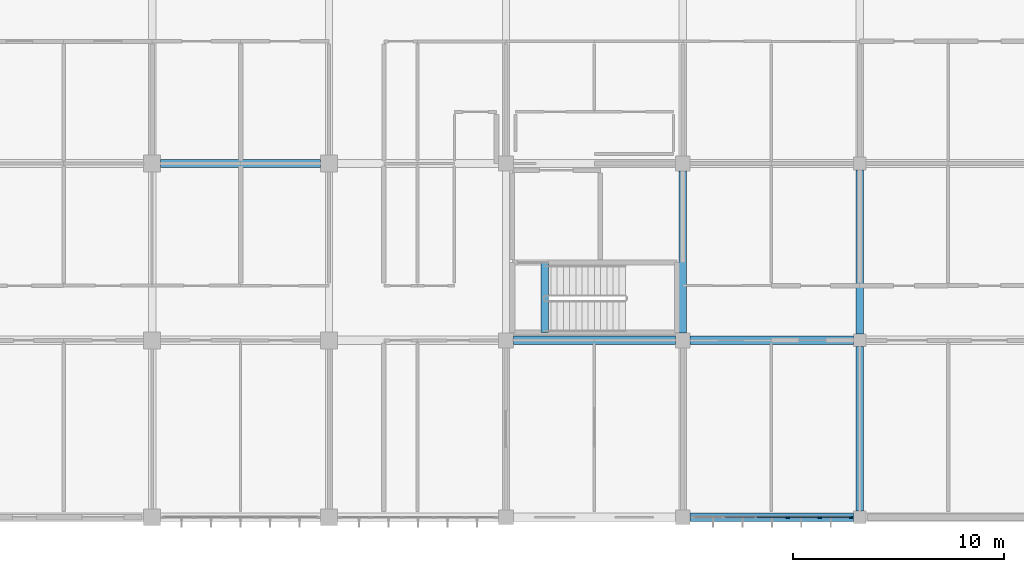
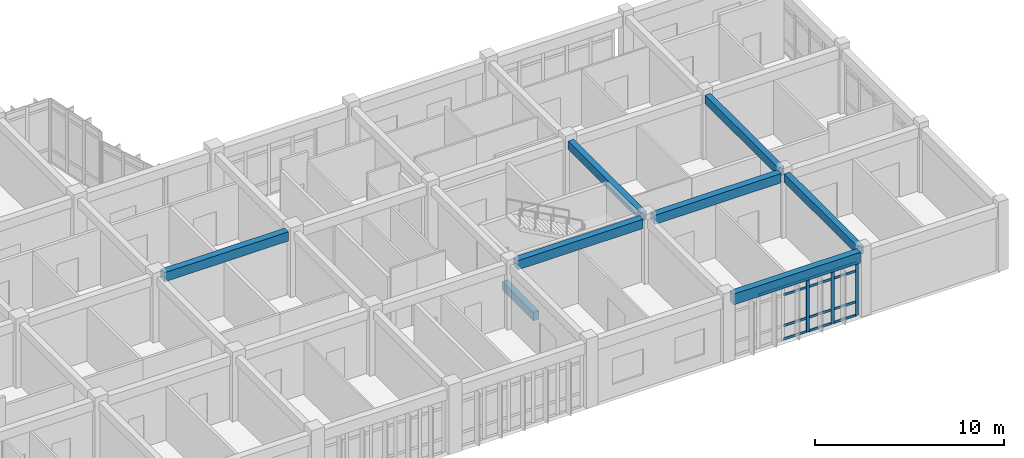
# One storey, part 58 of 144: 16 members, 8 beams, 1 element without a shape of its own.
"""IFC4 building model written with IfcOpenShell, lengths in metres."""

from ifc_helpers import new_model, si_unit, direction, frame, origin, origin_2d, place, context, subcontext, project, spatial, rectangle, extrude, material, layer, layer_set, material_profile, profile_set, type_object, element, aggregate, save


model = new_model("IFC4")

# Units and contexts
model_context = context("Model", 3, precision=1e-05, world=origin(), true_north=direction((0.0, 1.0)))
body_context = subcontext(model_context, "Body", "Model", "MODEL_VIEW")
ifc_project = project(units=[si_unit("LENGTHUNIT", "METRE"), si_unit("AREAUNIT", "SQUARE_METRE"), si_unit("VOLUMEUNIT", "CUBIC_METRE"), si_unit("PLANEANGLEUNIT", "RADIAN"), si_unit("MASSUNIT", "GRAM", prefix="KILO")], contexts=[model_context])

# Site, building, storey
site_placement = place(None, origin())
site = spatial("IfcSite", under=ifc_project, at=site_placement, CompositionType="ELEMENT")
building_placement = place(site_placement, origin())
building = spatial("IfcBuilding", under=site, at=building_placement, Name="Bramfleet General Hospital", CompositionType="ELEMENT")
storey_placement = place(building_placement, frame((0.0, 0.0, 4.800048828125)))
storey = spatial("IfcBuildingStorey", under=building, at=storey_placement, Name="L01", CompositionType="ELEMENT", Elevation=4.800048828125)

# Beams
ifc_material_1 = material(Name="Concrete C35/45", Category="concrete")
ifc_material_profile_1 = material_profile(ifc_material_1, rectangle(XDim=0.35009765625, YDim=0.550048828125, at=origin_2d()), Name="RC BM 550x350")
ifc_profile_set_1 = profile_set([ifc_material_profile_1], Name="Concrete C35/45")
beam_type_1 = type_object("IfcBeamType", Name="BM-RC550", PredefinedType="BEAM", material=ifc_profile_set_1)
beam_1_placement = place(storey_placement, frame((151.199951171875, 8.75, 3.875), z_axis=(0.0, 1.0, 0.0), x_axis=(-1.0, 0.0, 0.0)))
element("IfcBeam", 1, at=beam_1_placement, inside=storey, type_object=beam_type_1, Name="L01 Grid Beam Y 18-01", PredefinedType="BEAM", context=body_context, shape_type="SweptSolid", body=[
    extrude(rectangle(XDim=0.35009765625, YDim=0.550048828125, at=origin_2d()), origin(), (0.0, 0.0, 1.0), 7.699951171875),
])
for number, where, z_axis, x_axis, name in (
    (2, (159.60009765625, 0.300048828125, 3.875), (0.0, 1.0, 0.0), (-1.0, 0.0, 0.0), "L01 Grid Beam Y 19-00"),
    (3, (159.60009765625, 8.699951171875, 3.875), (0.0, 1.0, 0.0), (-1.0, 0.0, 0.0), "L01 Grid Beam Y 19-01"),
):
    element("IfcBeam", number, at=place(storey_placement, frame(where, z_axis=z_axis, x_axis=x_axis)), inside=storey, type_object=beam_type_1, Name=name, PredefinedType="BEAM", context=body_context, shape_type="SweptSolid", body=[
        extrude(rectangle(XDim=0.35009765625, YDim=0.550048828125, at=origin_2d()), origin(), (0.0, 0.0, 1.0), 7.800048828125),
    ])
beam_2_placement = place(storey_placement, frame((144.639892578125, 8.780029296875, -0.275146484375), z_axis=(0.0, 1.0, 0.0), x_axis=(-1.0, 0.0, 0.0)))
element("IfcBeam", 4, at=beam_2_placement, inside=storey, type_object=beam_type_1, Name="L01 C10 Stairwell Trimmer Beam", PredefinedType="BEAM", context=body_context, shape_type="SweptSolid", body=[
    extrude(rectangle(XDim=0.35009765625, YDim=0.550048828125, at=origin_2d()), origin(), (0.0, 0.0, 1.0), 3.320068359375),
])
ifc_material_profile_2 = material_profile(ifc_material_1, rectangle(XDim=0.39990234375, YDim=0.60009765625, at=origin_2d()), Name="RC BM 600x400")
ifc_profile_set_2 = profile_set([ifc_material_profile_2], Name="Concrete C35/45")
beam_type_2 = type_object("IfcBeamType", Name="BM-RC600", PredefinedType="BEAM", material=ifc_profile_set_2)
beam_3_placement = place(storey_placement, frame((126.39990234375, 16.800048828125, 3.849853515625), z_axis=(1.0, 0.0, 0.0), x_axis=(0.0, 1.0, 0.0)))
element("IfcBeam", 5, at=beam_3_placement, inside=storey, type_object=beam_type_2, Name="L01 Grid Beam X 15-02", PredefinedType="BEAM", context=body_context, shape_type="SweptSolid", body=[
    extrude(rectangle(XDim=0.39990234375, YDim=0.60009765625, at=origin_2d()), origin(), (0.0, 0.0, 1.0), 7.60009765625),
])
beam_4_placement = place(storey_placement, frame((143.14990234375, 8.39990234375, 3.849853515625), z_axis=(1.0, 0.0, 0.0), x_axis=(0.0, 1.0, 0.0)))
element("IfcBeam", 6, at=beam_4_placement, inside=storey, type_object=beam_type_2, Name="L01 Grid Beam X 17-01", PredefinedType="BEAM", context=body_context, shape_type="SweptSolid", body=[
    extrude(rectangle(XDim=0.39990234375, YDim=0.60009765625, at=origin_2d()), origin(), (0.0, 0.0, 1.0), 7.7001953125),
])
beam_5_placement = place(storey_placement, frame((151.550048828125, 8.39990234375, 3.849853515625), z_axis=(1.0, 0.0, 0.0), x_axis=(0.0, 1.0, 0.0)))
element("IfcBeam", 7, at=beam_5_placement, inside=storey, type_object=beam_type_2, Name="L01 Grid Beam X 18-01", PredefinedType="BEAM", context=body_context, shape_type="SweptSolid", body=[
    extrude(rectangle(XDim=0.39990234375, YDim=0.60009765625, at=origin_2d()), origin(), (0.0, 0.0, 1.0), 7.75),
])
ifc_material_profile_3 = material_profile(ifc_material_1, rectangle(XDim=0.39990234375, YDim=0.699951171875, at=origin_2d()), Name="RC SP 700x400")
ifc_profile_set_3 = profile_set([ifc_material_profile_3], Name="Concrete C35/45")
beam_type_3 = type_object("IfcBeamType", Name="BM-SP700", PredefinedType="SPANDREL", material=ifc_profile_set_3)
beam_6_placement = place(storey_placement, frame((151.550048828125, 0.0, 3.800048828125), z_axis=(1.0, 0.0, 0.0), x_axis=(0.0, 1.0, 0.0)))
element("IfcBeam", 8, at=beam_6_placement, inside=storey, type_object=beam_type_3, Name="L01 Grid Beam X 18-00", PredefinedType="SPANDREL", context=body_context, shape_type="SweptSolid", body=[
    extrude(rectangle(XDim=0.39990234375, YDim=0.699951171875, at=origin_2d()), origin(), (0.0, 0.0, 1.0), 7.75),
])

# Curtain wall, members
ifc_material_2 = material(Name="Anodised aluminium and low-E triple glazing", Category="aluminium")
ifc_layer = layer(ifc_material_2, 0.179931640625, Name="CWT-CW-18")
ifc_layer_set = layer_set([ifc_layer], Name="Anodised aluminium and low-E triple glazing")
curtain_wall_type = type_object("IfcCurtainWallType", Name="CWT-CW-18", PredefinedType="USERDEFINED", material=ifc_layer_set)
curtain_wall_placement = place(storey_placement, origin())
curtain_wall = element("IfcCurtainWall", 9, at=curtain_wall_placement, inside=storey, type_object=curtain_wall_type, Name="L01 Curtain Wall 72", ObjectType="Stick curtain wall", PredefinedType="USERDEFINED")
ifc_material_3 = material(Name="Structural timber GL28h", Category="wood")
ifc_material_profile_4 = material_profile(ifc_material_3, rectangle(XDim=0.070068359375, YDim=0.18994140625, at=origin_2d()), Name="LARCH 190x70")
ifc_profile_set_4 = profile_set([ifc_material_profile_4], Name="Structural timber GL28h")
member_type_1 = type_object("IfcMemberType", Name="CWM-LARCH450", PredefinedType="MULLION", material=ifc_profile_set_4)
member_1_placement = place(storey_placement, frame((159.18994140625, 0.0, 0.0), z_axis=(0.0, 0.0, 1.0), x_axis=(0.0, -1.0, 0.0)))
member_1 = element("IfcMember", 10, at=member_1_placement, type_object=member_type_1, Name="CW-18 mullion 1", PredefinedType="MULLION", context=body_context, shape_type="SweptSolid", body=[
    extrude(rectangle(XDim=0.070068359375, YDim=0.18994140625, at=origin_2d()), origin(), (0.0, 0.0, 1.0), 3.43994140625),
])
member_2_placement = place(storey_placement, frame((157.705078125, 0.0, 0.0), z_axis=(0.0, 0.0, 1.0), x_axis=(0.0, -1.0, 0.0)))
member_2 = element("IfcMember", 11, at=member_2_placement, type_object=member_type_1, Name="CW-18 mullion 2", PredefinedType="MULLION", context=body_context, shape_type="SweptSolid", body=[
    extrude(rectangle(XDim=0.070068359375, YDim=0.18994140625, at=origin_2d()), origin(), (0.0, 0.0, 1.0), 3.43994140625),
])
member_3_placement = place(storey_placement, frame((156.18505859375, 0.0, 0.0), z_axis=(0.0, 0.0, 1.0), x_axis=(0.0, -1.0, 0.0)))
member_3 = element("IfcMember", 12, at=member_3_placement, type_object=member_type_1, Name="CW-18 mullion 3", PredefinedType="MULLION", context=body_context, shape_type="SweptSolid", body=[
    extrude(rectangle(XDim=0.070068359375, YDim=0.18994140625, at=origin_2d()), origin(), (0.0, 0.0, 1.0), 3.43994140625),
])
ifc_material_profile_5 = material_profile(ifc_material_3, rectangle(XDim=0.06494140625, YDim=0.14990234375, at=origin_2d()), Name="LARCH 150x65")
ifc_profile_set_5 = profile_set([ifc_material_profile_5], Name="Structural timber GL28h")
member_type_2 = type_object("IfcMemberType", Name="CWT-LARCH220", PredefinedType="USERDEFINED", material=ifc_profile_set_5)
member_4_placement = place(storey_placement, frame((159.155029296875, 0.0, 0.032470703125), z_axis=(-1.0, 0.0, 0.0), x_axis=(0.0, -1.0, 0.0)))
member_4 = element("IfcMember", 13, at=member_4_placement, type_object=member_type_2, Name="CW-18 transom 1.1", ObjectType="TRANSOM", PredefinedType="USERDEFINED", context=body_context, shape_type="SweptSolid", body=[
    extrude(rectangle(XDim=0.06494140625, YDim=0.14990234375, at=origin_2d()), origin(), (0.0, 0.0, 1.0), 1.4150390625),
])
member_5_placement = place(storey_placement, frame((159.155029296875, 0.0, 0.89990234375), z_axis=(-1.0, 0.0, 0.0), x_axis=(0.0, -1.0, 0.0)))
member_5 = element("IfcMember", 14, at=member_5_placement, type_object=member_type_2, Name="CW-18 transom 1.2", ObjectType="TRANSOM", PredefinedType="USERDEFINED", context=body_context, shape_type="SweptSolid", body=[
    extrude(rectangle(XDim=0.06494140625, YDim=0.14990234375, at=origin_2d()), origin(), (0.0, 0.0, 1.0), 1.4150390625),
])
member_6_placement = place(storey_placement, frame((159.155029296875, 0.0, 2.889892578125), z_axis=(-1.0, 0.0, 0.0), x_axis=(0.0, -1.0, 0.0)))
member_6 = element("IfcMember", 15, at=member_6_placement, type_object=member_type_2, Name="CW-18 transom 1.3", ObjectType="TRANSOM", PredefinedType="USERDEFINED", context=body_context, shape_type="SweptSolid", body=[
    extrude(rectangle(XDim=0.06494140625, YDim=0.14990234375, at=origin_2d()), origin(), (0.0, 0.0, 1.0), 1.4150390625),
])
member_7_placement = place(storey_placement, frame((159.155029296875, 0.0, 3.407470703125), z_axis=(-1.0, 0.0, 0.0), x_axis=(0.0, -1.0, 0.0)))
member_7 = element("IfcMember", 16, at=member_7_placement, type_object=member_type_2, Name="CW-18 transom 1.4", ObjectType="TRANSOM", PredefinedType="USERDEFINED", context=body_context, shape_type="SweptSolid", body=[
    extrude(rectangle(XDim=0.06494140625, YDim=0.14990234375, at=origin_2d()), origin(), (0.0, 0.0, 1.0), 1.4150390625),
])
member_8_placement = place(storey_placement, frame((157.669921875, 0.0, 0.032470703125), z_axis=(-1.0, 0.0, 0.0), x_axis=(0.0, -1.0, 0.0)))
member_8 = element("IfcMember", 17, at=member_8_placement, type_object=member_type_2, Name="CW-18 transom 2.1", ObjectType="TRANSOM", PredefinedType="USERDEFINED", context=body_context, shape_type="SweptSolid", body=[
    extrude(rectangle(XDim=0.06494140625, YDim=0.14990234375, at=origin_2d()), origin(), (0.0, 0.0, 1.0), 1.449951171875),
])
member_9_placement = place(storey_placement, frame((157.669921875, 0.0, 0.89990234375), z_axis=(-1.0, 0.0, 0.0), x_axis=(0.0, -1.0, 0.0)))
member_9 = element("IfcMember", 18, at=member_9_placement, type_object=member_type_2, Name="CW-18 transom 2.2", ObjectType="TRANSOM", PredefinedType="USERDEFINED", context=body_context, shape_type="SweptSolid", body=[
    extrude(rectangle(XDim=0.06494140625, YDim=0.14990234375, at=origin_2d()), origin(), (0.0, 0.0, 1.0), 1.449951171875),
])
member_10_placement = place(storey_placement, frame((157.669921875, 0.0, 2.889892578125), z_axis=(-1.0, 0.0, 0.0), x_axis=(0.0, -1.0, 0.0)))
member_10 = element("IfcMember", 19, at=member_10_placement, type_object=member_type_2, Name="CW-18 transom 2.3", ObjectType="TRANSOM", PredefinedType="USERDEFINED", context=body_context, shape_type="SweptSolid", body=[
    extrude(rectangle(XDim=0.06494140625, YDim=0.14990234375, at=origin_2d()), origin(), (0.0, 0.0, 1.0), 1.449951171875),
])
member_11_placement = place(storey_placement, frame((157.669921875, 0.0, 3.407470703125), z_axis=(-1.0, 0.0, 0.0), x_axis=(0.0, -1.0, 0.0)))
member_11 = element("IfcMember", 20, at=member_11_placement, type_object=member_type_2, Name="CW-18 transom 2.4", ObjectType="TRANSOM", PredefinedType="USERDEFINED", context=body_context, shape_type="SweptSolid", body=[
    extrude(rectangle(XDim=0.06494140625, YDim=0.14990234375, at=origin_2d()), origin(), (0.0, 0.0, 1.0), 1.449951171875),
])
member_12_placement = place(storey_placement, frame((156.14990234375, 0.0, 0.032470703125), z_axis=(-1.0, 0.0, 0.0), x_axis=(0.0, -1.0, 0.0)))
member_12 = element("IfcMember", 21, at=member_12_placement, type_object=member_type_2, Name="CW-18 transom 3.1", ObjectType="TRANSOM", PredefinedType="USERDEFINED", context=body_context, shape_type="SweptSolid", body=[
    extrude(rectangle(XDim=0.06494140625, YDim=0.14990234375, at=origin_2d()), origin(), (0.0, 0.0, 1.0), 1.449951171875),
])
member_13_placement = place(storey_placement, frame((156.14990234375, 0.0, 0.89990234375), z_axis=(-1.0, 0.0, 0.0), x_axis=(0.0, -1.0, 0.0)))
member_13 = element("IfcMember", 22, at=member_13_placement, type_object=member_type_2, Name="CW-18 transom 3.2", ObjectType="TRANSOM", PredefinedType="USERDEFINED", context=body_context, shape_type="SweptSolid", body=[
    extrude(rectangle(XDim=0.06494140625, YDim=0.14990234375, at=origin_2d()), origin(), (0.0, 0.0, 1.0), 1.449951171875),
])
member_14_placement = place(storey_placement, frame((156.14990234375, 0.0, 2.889892578125), z_axis=(-1.0, 0.0, 0.0), x_axis=(0.0, -1.0, 0.0)))
member_14 = element("IfcMember", 23, at=member_14_placement, type_object=member_type_2, Name="CW-18 transom 3.3", ObjectType="TRANSOM", PredefinedType="USERDEFINED", context=body_context, shape_type="SweptSolid", body=[
    extrude(rectangle(XDim=0.06494140625, YDim=0.14990234375, at=origin_2d()), origin(), (0.0, 0.0, 1.0), 1.449951171875),
])
member_15_placement = place(storey_placement, frame((156.14990234375, 0.0, 3.407470703125), z_axis=(-1.0, 0.0, 0.0), x_axis=(0.0, -1.0, 0.0)))
member_15 = element("IfcMember", 24, at=member_15_placement, type_object=member_type_2, Name="CW-18 transom 3.4", ObjectType="TRANSOM", PredefinedType="USERDEFINED", context=body_context, shape_type="SweptSolid", body=[
    extrude(rectangle(XDim=0.06494140625, YDim=0.14990234375, at=origin_2d()), origin(), (0.0, 0.0, 1.0), 1.449951171875),
])
member_16_placement = place(storey_placement, frame((154.6298828125, 0.0, 3.407470703125), z_axis=(-1.0, 0.0, 0.0), x_axis=(0.0, -1.0, 0.0)))
member_16 = element("IfcMember", 25, at=member_16_placement, type_object=member_type_2, Name="CW-18 transom 4.4", ObjectType="TRANSOM", PredefinedType="USERDEFINED", context=body_context, shape_type="SweptSolid", body=[
    extrude(rectangle(XDim=0.06494140625, YDim=0.14990234375, at=origin_2d()), origin(), (0.0, 0.0, 1.0), 1.449951171875),
])
aggregate(curtain_wall, [member_1, member_2, member_3, member_4, member_5, member_6, member_7, member_8, member_9, member_10, member_11, member_12, member_13, member_14, member_15, member_16])

save(model, "model.ifc")
